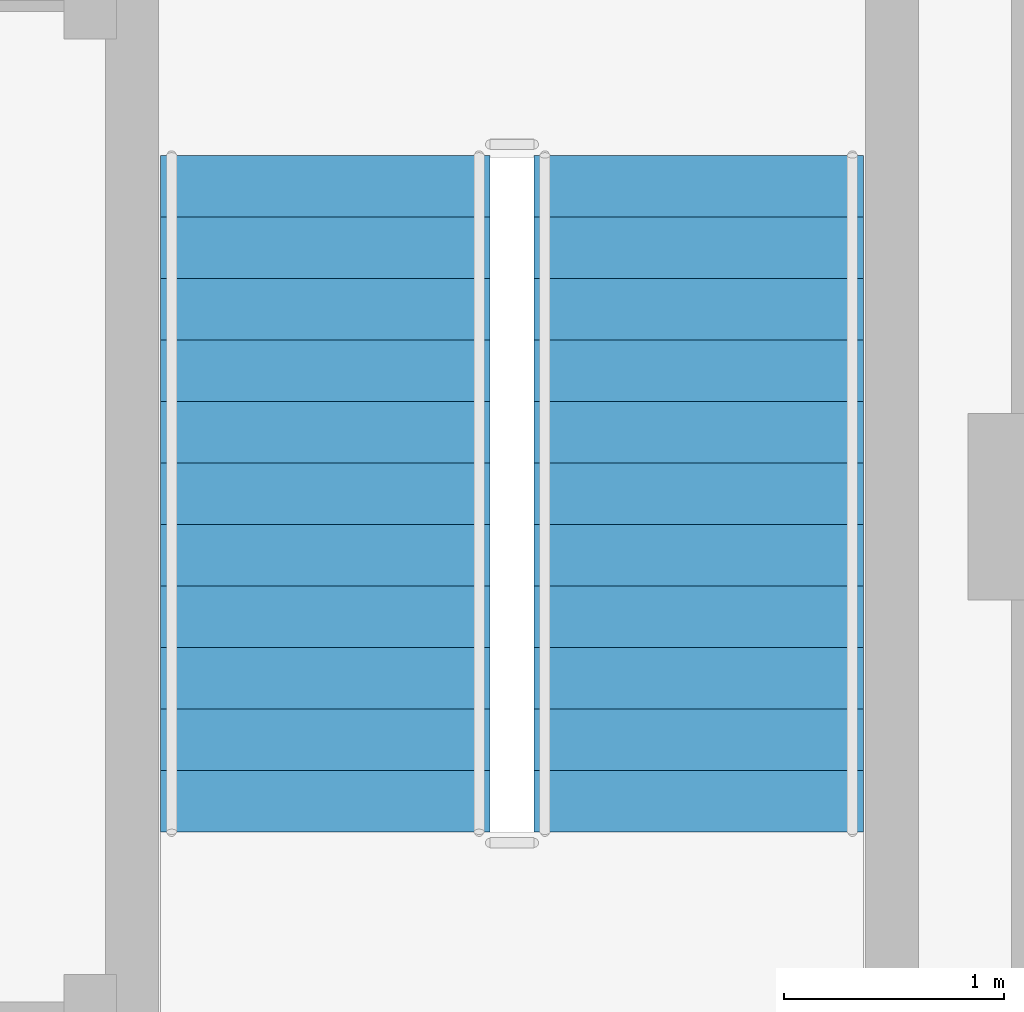
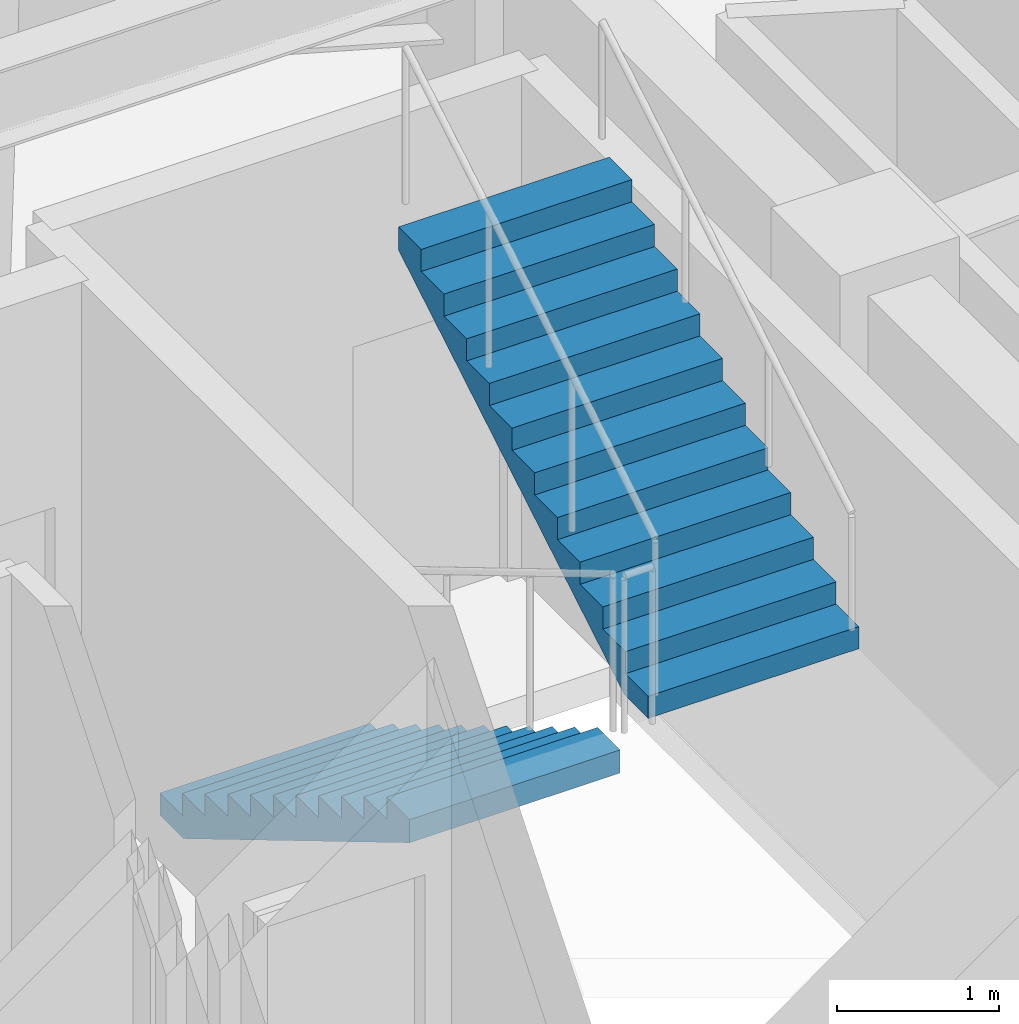
# One storey, part 9 of 13: 2 stair flights, 1 element without a shape of its own.
"""IFC4 building model written with IfcOpenShell, lengths in metres."""

import ifcopenshell
import ifcopenshell.guid

model = None  # the IFC model being written
_history = None  # IfcOwnerHistory: only IFC2X3 demands one
_inside = {}  # id of a spatial element -> (the spatial element, [elements in it])
_under = {}  # id of a project, library or spatial element -> (it, [spatial elements below it])
_declared = {}  # id of a project -> (the project, [libraries it declares])
_typed = {}  # id of a type object -> (the type object, [elements of that type])
_made_of = {}  # id of a material, layer set ... -> (it, [elements and type objects made of it])


def new_model(schema):
    """Start an empty IFC model of exactly this schema.

    Asked for "IFC4X3", IfcOpenShell would pick the latest addendum, in which some entities
    have other attributes; the version numbers below select the first issue.
    IFC2X3 requires an IfcOwnerHistory on every rooted entity: one is made here for all.
    """
    global model, _history
    if schema == "IFC4X3":
        model = ifcopenshell.file(schema_version=(4, 3, 0, 0))
    else:
        model = ifcopenshell.file(schema=schema)
    _inside.clear()
    _under.clear()
    _declared.clear()
    _typed.clear()
    _made_of.clear()
    _history = None
    if model.schema == "IFC2X3":
        org = make("IfcOrganization", Name="unknown")
        user = make(
            "IfcPersonAndOrganization",
            ThePerson=make("IfcPerson", FamilyName="unknown"),
            TheOrganization=org,
        )
        app = make(
            "IfcApplication",
            ApplicationDeveloper=org,
            Version="unknown",
            ApplicationFullName="unknown",
            ApplicationIdentifier="unknown",
        )
        _history = make(
            "IfcOwnerHistory",
            OwningUser=user,
            OwningApplication=app,
            ChangeAction="ADDED",
            CreationDate=0,
        )
    return model


def make(cls, **values):
    """One entity of the class cls with the attributes given. An attribute that is None is left unset."""
    return model.create_entity(
        cls, **{name: value for name, value in values.items() if value is not None}
    )


def rooted(cls, **values):
    """An entity with a GlobalId (a new one), such as an element, a storey or a relation."""
    return make(cls, GlobalId=ifcopenshell.guid.new(), OwnerHistory=_history, **values)


def si_unit(unit_type, name, prefix=None):
    """IfcSIUnit, for example si_unit("LENGTHUNIT", "METRE", prefix="MILLI")."""
    return make("IfcSIUnit", UnitType=unit_type, Prefix=prefix, Name=name)


def assignment(units):
    """IfcUnitAssignment: the units of a project."""
    return None if units is None else make("IfcUnitAssignment", Units=units)


def point(xyz):
    """IfcCartesianPoint."""
    return None if xyz is None else make("IfcCartesianPoint", Coordinates=xyz)


def direction(xyz):
    """IfcDirection."""
    return None if xyz is None else make("IfcDirection", DirectionRatios=xyz)


def frame(location, z_axis=None, x_axis=None):
    """IfcAxis2Placement3D, a coordinate frame: its origin and axes. An axis left out is left unset."""
    return make(
        "IfcAxis2Placement3D",
        Location=point(location),
        Axis=direction(z_axis),
        RefDirection=direction(x_axis),
    )


def origin():
    """The frame at (0, 0, 0) with its axes left unset."""
    return frame((0.0, 0.0, 0.0))


def place(relative_to, where):
    """IfcLocalPlacement: puts the frame where relative to a parent placement (None: the world)."""
    return make(
        "IfcLocalPlacement", PlacementRelTo=relative_to, RelativePlacement=where
    )


def context(
    kind, dimensions, precision=None, world=None, true_north=None, identifier=None
):
    """IfcGeometricRepresentationContext, for example the 3D "Model" context."""
    return make(
        "IfcGeometricRepresentationContext",
        ContextIdentifier=identifier,
        ContextType=kind,
        CoordinateSpaceDimension=dimensions,
        Precision=precision,
        WorldCoordinateSystem=world,
        TrueNorth=true_north,
    )


def subcontext(parent, identifier, kind, view, scale=None):
    """IfcGeometricRepresentationSubContext, for example "Body" below "Model"."""
    return make(
        "IfcGeometricRepresentationSubContext",
        ContextIdentifier=identifier,
        ContextType=kind,
        ParentContext=parent,
        TargetScale=scale,
        TargetView=view,
    )


def project(units=None, contexts=None):
    """IfcProject with its units and contexts."""
    return rooted(
        "IfcProject",
        Name="project",
        RepresentationContexts=contexts,
        UnitsInContext=assignment(units),
    )


def spatial(cls, under=None, at=None, **own):
    """A site, building, storey or space (cls), placed at a placement, below another one or the project."""
    s = rooted(cls, ObjectPlacement=at, **own)
    if under is not None:
        _under.setdefault(under.id(), (under, []))[1].append(s)
    return s


def polyline(points):
    """IfcPolyline through the points."""
    return make("IfcPolyline", Points=[point(p) for p in points])


def outline(outer, holes=None, kind="AREA"):
    """IfcArbitraryClosedProfileDef: a profile drawn as a closed curve; with holes, ...WithVoids."""
    if holes is None:
        return make("IfcArbitraryClosedProfileDef", ProfileType=kind, OuterCurve=outer)
    return make(
        "IfcArbitraryProfileDefWithVoids",
        ProfileType=kind,
        OuterCurve=outer,
        InnerCurves=holes,
    )


def extrude(swept, where, along, depth):
    """IfcExtrudedAreaSolid: the profile swept, set in the frame where, extruded along a direction by depth."""
    return make(
        "IfcExtrudedAreaSolid",
        SweptArea=swept,
        Position=where,
        ExtrudedDirection=direction(along),
        Depth=depth,
    )


def shape(context_of_items, identifier, shape_type, items):
    """IfcShapeRepresentation: the items that make up one representation, for example the "Body"."""
    return make(
        "IfcShapeRepresentation",
        ContextOfItems=context_of_items,
        RepresentationIdentifier=identifier,
        RepresentationType=shape_type,
        Items=items,
    )


def material(Name=None, Category=None):
    """IfcMaterial."""
    return make("IfcMaterial", Name=Name, Category=Category)


def made_of(thing, what):
    """Note that an element or type object is made of a material, layer set ...; save() writes the relation."""
    if what is not None:
        _made_of.setdefault(what.id(), (what, []))[1].append(thing)
    return thing


def type_object(cls, material=None, **own):
    """A type object (cls), such as IfcWallType, which elements share."""
    return made_of(rooted(cls, **own), material)


def element(
    cls,
    number,
    at=None,
    inside=None,
    cuts=None,
    type_object=None,
    material=None,
    context=None,
    identifier="Body",
    shape_type=None,
    held_by="IfcProductDefinitionShape",
    body=None,
    shapes=None,
    **own,
):
    """One element of the class cls, such as IfcWall. Its Tag is "e" and its number.

    at: its placement. inside: the storey or other place that contains it. cuts: it is an
    opening in that element (IfcRelVoidsElement). A single representation is given by context,
    identifier, shape_type and body (its items); several are given by shapes. held_by: the class
    of the entity that holds the representations. save() writes the other relations.
    """
    e = rooted(cls, Tag="e%d" % number, ObjectPlacement=at, **own)
    if body is not None:
        shapes = [shape(context, identifier, shape_type, body)]
    if shapes is not None:
        e.Representation = make(held_by, Representations=shapes)
    if inside is not None:
        _inside.setdefault(inside.id(), (inside, []))[1].append(e)
    if cuts is not None:
        rooted(
            "IfcRelVoidsElement", RelatingBuildingElement=cuts, RelatedOpeningElement=e
        )
    if type_object is not None:
        _typed.setdefault(type_object.id(), (type_object, []))[1].append(e)
    return made_of(e, material)


def aggregate(whole, parts):
    """IfcRelAggregates: a whole, such as a stair, and the parts it consists of."""
    return rooted("IfcRelAggregates", RelatingObject=whole, RelatedObjects=parts)


def save(model, path):
    """Write the relations noted so far, then the file.

    IfcRelAggregates (storeys below a building ...), IfcRelContainedInSpatialStructure (elements
    in a storey), IfcRelDefinesByType, IfcRelAssociatesMaterial and IfcRelDeclares: one each for
    every whole, place, type object, material and project.
    """
    for whole, parts in _under.values():
        aggregate(whole, parts)
    for where, things in _inside.values():
        rooted(
            "IfcRelContainedInSpatialStructure",
            RelatedElements=things,
            RelatingStructure=where,
        )
    for kind, things in _typed.values():
        rooted("IfcRelDefinesByType", RelatedObjects=things, RelatingType=kind)
    for what, things in _made_of.values():
        rooted("IfcRelAssociatesMaterial", RelatedObjects=things, RelatingMaterial=what)
    for by, libraries in _declared.values():
        rooted("IfcRelDeclares", RelatingContext=by, RelatedDefinitions=libraries)
    model.write(path)


model = new_model("IFC4")

# Units and contexts
model_context = context("Model", 3, precision=1e-05, world=origin(), true_north=direction((0.0, 1.0)))
body_context = subcontext(model_context, "Body", "Model", "MODEL_VIEW")
ifc_project = project(units=[si_unit("LENGTHUNIT", "METRE"), si_unit("AREAUNIT", "SQUARE_METRE"), si_unit("VOLUMEUNIT", "CUBIC_METRE"), si_unit("PLANEANGLEUNIT", "RADIAN"), si_unit("MASSUNIT", "GRAM", prefix="KILO")], contexts=[model_context])

# Site, building, storey
site_placement = place(None, origin())
site = spatial("IfcSite", under=ifc_project, at=site_placement, CompositionType="ELEMENT")
building_placement = place(site_placement, origin())
building = spatial("IfcBuilding", under=site, at=building_placement, Name="Gaonmaruhae Medical Tower", CompositionType="ELEMENT")
storey_placement = place(building_placement, frame((0.0, 0.0, 304.60009765625)))
storey = spatial("IfcBuildingStorey", under=building, at=storey_placement, Name="L73", CompositionType="ELEMENT", Elevation=304.60009765625)

# Stair, stair flights
ifc_material = material(Name="Concrete C40/50", Category="concrete")
stair_type = type_object("IfcStairType", Name="ST-T1 Primary Core Escape Dogleg Stair", PredefinedType="TWO_QUARTER_TURN_STAIR", material=ifc_material)
stair_placement = place(storey_placement, origin())
stair = element("IfcStair", 1, at=stair_placement, inside=storey, type_object=stair_type, Name="L73 Protected Escape Stair ST-02", PredefinedType="TWO_QUARTER_TURN_STAIR")
stair_flight_type = type_object("IfcStairFlightType", Name="SF-T1 Primary Core Precast Stair Flight", PredefinedType="STRAIGHT", material=ifc_material)
stair_flight_1_placement = place(storey_placement, frame((32.25, 13.89990234375, 0.0), z_axis=(0.0, 0.0, 1.0), x_axis=(0.0, -1.0, 0.0)))
stair_flight_1 = element("IfcStairFlight", 2, at=stair_flight_1_placement, type_object=stair_flight_type, Name="ST-02 flight 1", NumberOfRisers=12, NumberOfTreads=11, PredefinedType="STRAIGHT", RiserHeight=0.166666667, TreadLength=0.28, context=body_context, shape_type="SweptSolid", body=[
    extrude(outline(polyline([(0.0, 0.0), (0.0, 0.166748046875), (0.280029296875, 0.166748046875), (0.280029296875, 0.333251953125), (0.56005859375, 0.333251953125), (0.56005859375, 0.5), (0.840087890625, 0.5), (0.840087890625, 0.666748046875), (1.1201171875, 0.666748046875), (1.1201171875, 0.833251953125), (1.39990234375, 0.833251953125), (1.39990234375, 1.0), (1.679931640625, 1.0), (1.679931640625, 1.166748046875), (1.9599609375, 1.166748046875), (1.9599609375, 1.333251953125), (2.239990234375, 1.333251953125), (2.239990234375, 1.5), (2.52001953125, 1.5), (2.52001953125, 1.666748046875), (2.800048828125, 1.666748046875), (2.800048828125, 1.833251953125), (3.080078125, 1.833251953125), (3.080078125, 2.0), (3.080078125, 1.658935546875), (0.29296875, 0.0), (0.0, 0.0)])), frame((0.0, 0.75, 0.0), z_axis=(0.0, -1.0, 0.0), x_axis=(1.0, 0.0, 0.0)), (0.0, 0.0, 1.0), 1.5),
])
stair_flight_2_placement = place(storey_placement, frame((33.949951171875, 10.820068359375, 2.0), z_axis=(0.0, 0.0, 1.0), x_axis=(0.0, 1.0, 0.0)))
stair_flight_2 = element("IfcStairFlight", 3, at=stair_flight_2_placement, type_object=stair_flight_type, Name="ST-02 flight 2", NumberOfRisers=12, NumberOfTreads=11, PredefinedType="STRAIGHT", RiserHeight=0.166666667, TreadLength=0.28, context=body_context, shape_type="SweptSolid", body=[
    extrude(outline(polyline([(0.0, 0.0), (0.0, 0.166748046875), (0.280029296875, 0.166748046875), (0.280029296875, 0.333251953125), (0.56005859375, 0.333251953125), (0.56005859375, 0.5), (0.840087890625, 0.5), (0.840087890625, 0.666748046875), (1.1201171875, 0.666748046875), (1.1201171875, 0.833251953125), (1.39990234375, 0.833251953125), (1.39990234375, 1.0), (1.679931640625, 1.0), (1.679931640625, 1.166748046875), (1.9599609375, 1.166748046875), (1.9599609375, 1.333251953125), (2.239990234375, 1.333251953125), (2.239990234375, 1.5), (2.52001953125, 1.5), (2.52001953125, 1.666748046875), (2.800048828125, 1.666748046875), (2.800048828125, 1.833251953125), (3.080078125, 1.833251953125), (3.080078125, 2.0), (3.080078125, 1.658935546875), (0.29296875, 0.0), (0.0, 0.0)])), frame((0.0, 0.75, 0.0), z_axis=(0.0, -1.0, 0.0), x_axis=(1.0, 0.0, 0.0)), (0.0, 0.0, 1.0), 1.5),
])
aggregate(stair, [stair_flight_1, stair_flight_2])

save(model, "model.ifc")
